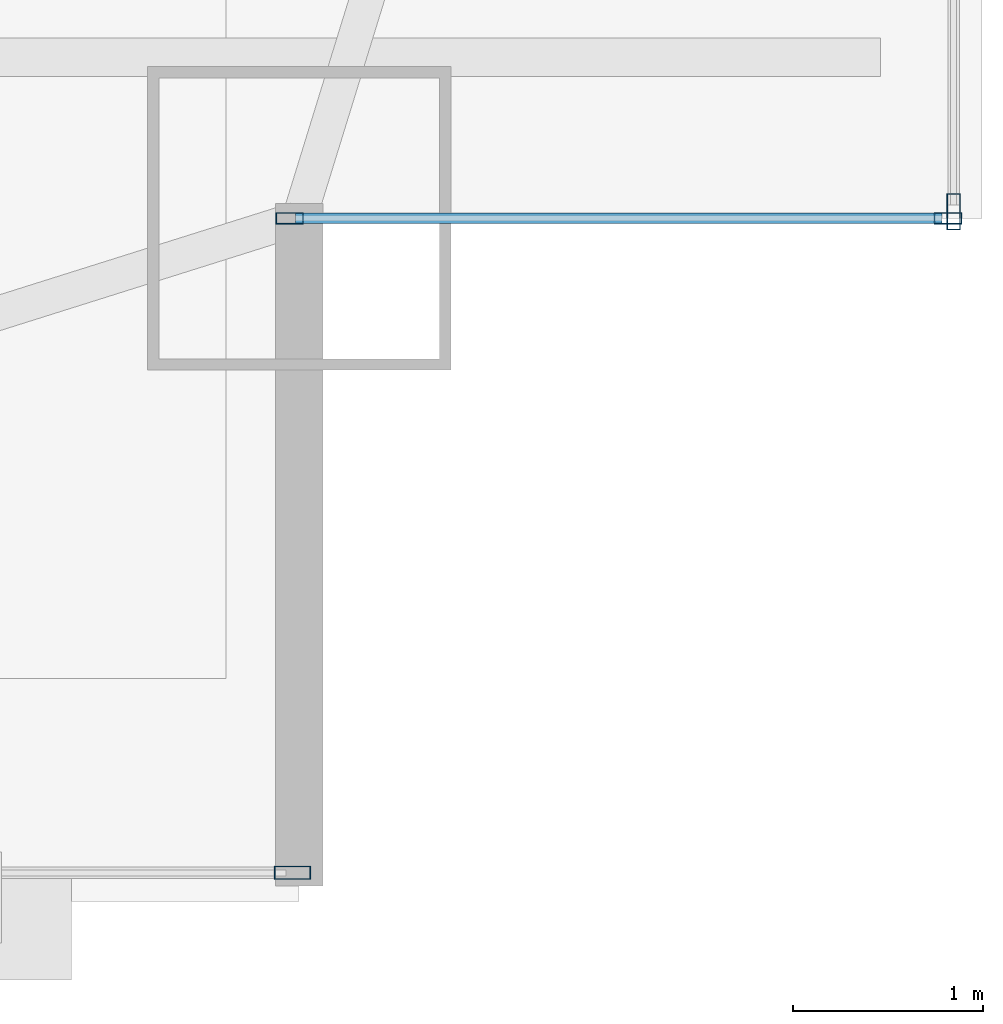
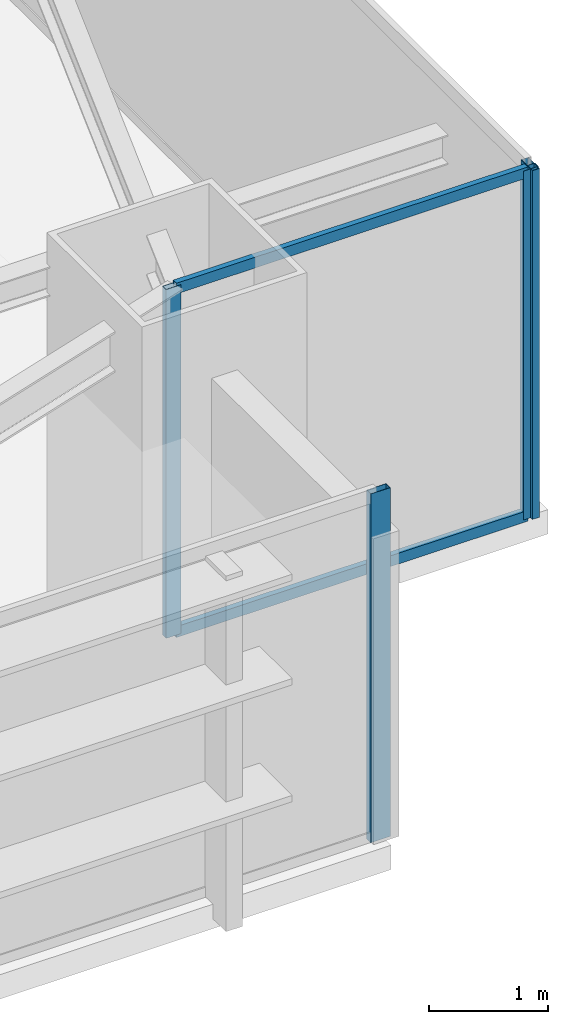
# One storey, part 16 of 32: 6 members, 3 elements without a shape of their own.
"""IFC4 building model written with IfcOpenShell, lengths in metres."""

from ifc_helpers import new_model, si_unit, direction, frame, origin, origin_2d, place, context, subcontext, project, spatial, hollow_rectangle, extrude, source, transform, mapped, material, layer, layer_set, material_profile, profile_set, type_object, type_shapes, element, aggregate, save


model = new_model("IFC4")

# Units and contexts
model_context = context("Model", 3, precision=1e-05, world=origin(), true_north=direction((0.0, 1.0)))
body_context = subcontext(model_context, "Body", "Model", "MODEL_VIEW")
ifc_project = project(units=[si_unit("LENGTHUNIT", "METRE"), si_unit("AREAUNIT", "SQUARE_METRE"), si_unit("VOLUMEUNIT", "CUBIC_METRE"), si_unit("PLANEANGLEUNIT", "RADIAN"), si_unit("MASSUNIT", "GRAM", prefix="KILO")], contexts=[model_context])

# Site, building, storey
site_placement = place(None, origin())
site = spatial("IfcSite", under=ifc_project, at=site_placement, CompositionType="ELEMENT")
building_placement = place(site_placement, origin())
building = spatial("IfcBuilding", under=site, at=building_placement, Name="Varnel Quay Broadcast Tower", CompositionType="ELEMENT")
storey_placement = place(building_placement, frame((0.0, 0.0, 78.300048828125)))
storey = spatial("IfcBuildingStorey", under=building, at=storey_placement, Name="L18", CompositionType="ELEMENT", Elevation=78.300048828125)

# Curtain wall, members
ifc_material = material(Name="Anodised Bronze Aluminium 6063-T6", Category="aluminium")
ifc_layer_1 = layer(ifc_material, 0.18994140625, Name="Anodised Bronze Aluminium 6063-T6")
ifc_layer_set_1 = layer_set([ifc_layer_1], Name="Anodised Bronze Aluminium 6063-T6")
curtain_wall_type_1 = type_object("IfcCurtainWallType", Name="CW_NotchCorner", PredefinedType="NOTDEFINED", material=ifc_layer_set_1)
curtain_wall_1_placement = place(storey_placement, origin())
curtain_wall_1 = element("IfcCurtainWall", 1, at=curtain_wall_1_placement, inside=storey, type_object=curtain_wall_type_1, Name="L18 SE Notch Curtain Wall", PredefinedType="NOTDEFINED")
ifc_material_profile_1 = material_profile(ifc_material, hollow_rectangle(XDim=0.054931640625, YDim=0.110107421875, WallThickness=0.0029296875, at=origin_2d()), Name="ALU55X110X3")
ifc_profile_set_1 = profile_set([ifc_material_profile_1], Name="Anodised Bronze Aluminium 6063-T6")
member_type_1 = type_object("IfcMemberType", Name="Tran_CWS-04", PredefinedType="USERDEFINED", material=ifc_profile_set_1)
shared_shape_1 = source(origin(), body_context, "Body", "SweptSolid", [
    extrude(hollow_rectangle(XDim=0.054931640625, YDim=0.110107421875, WallThickness=0.0029296875, at=origin_2d()), origin(), (0.0, 0.0, 1.0), 3.41015625),
])
type_shapes(member_type_1, [shared_shape_1])
member_1_placement = place(storey_placement, frame((62.3798828125, 4.800048828125, 0.02734375), z_axis=(1.0, 0.0, 0.0), x_axis=(0.0, 1.0, 0.0)))
member_1 = element("IfcMember", 2, at=member_1_placement, type_object=member_type_1, Name="CWS-04 transom 1.1", ObjectType="TRANSOM", PredefinedType="USERDEFINED", context=body_context, shape_type="MappedRepresentation", body=[
    mapped(shared_shape_1, transform((0.0, 0.0, 0.0), x_axis=(1.0, 0.0, 0.0), y_axis=(0.0, 1.0, 0.0), z_axis=(0.0, 0.0, 1.0), scale=1.0)),
])
member_2_placement = place(storey_placement, frame((62.3798828125, 4.800048828125, 3.552490234375), z_axis=(1.0, 0.0, 0.0), x_axis=(0.0, 1.0, 0.0)))
member_2 = element("IfcMember", 3, at=member_2_placement, type_object=member_type_1, Name="CWS-04 transom 1.2", ObjectType="TRANSOM", PredefinedType="USERDEFINED", context=body_context, shape_type="MappedRepresentation", body=[
    mapped(shared_shape_1, transform((0.0, 0.0, 0.0), x_axis=(1.0, 0.0, 0.0), y_axis=(0.0, 1.0, 0.0), z_axis=(0.0, 0.0, 1.0), scale=1.0)),
])

# Curtain wall, member
ifc_layer_2 = layer(ifc_material, 0.18994140625, Name="Anodised Bronze Aluminium 6063-T6")
ifc_layer_set_2 = layer_set([ifc_layer_2], Name="Anodised Bronze Aluminium 6063-T6")
curtain_wall_type_2 = type_object("IfcCurtainWallType", Name="CW_LowerTower", PredefinedType="NOTDEFINED", material=ifc_layer_set_2)
curtain_wall_2_placement = place(storey_placement, origin())
curtain_wall_2 = element("IfcCurtainWall", 4, at=curtain_wall_2_placement, inside=storey, type_object=curtain_wall_type_2, Name="L18 South Unitised Curtain Wall 1", PredefinedType="NOTDEFINED")
ifc_material_profile_2 = material_profile(ifc_material, hollow_rectangle(XDim=0.070068359375, YDim=0.18994140625, WallThickness=0.00390625, at=origin_2d()), Name="ALU70X190X4")
ifc_profile_set_2 = profile_set([ifc_material_profile_2], Name="Anodised Bronze Aluminium 6063-T6")
member_type_2 = type_object("IfcMemberType", Name="Mull_CWS-02", PredefinedType="MULLION", material=ifc_profile_set_2)
shared_shape_2 = source(origin(), body_context, "Body", "SweptSolid", [
    extrude(hollow_rectangle(XDim=0.070068359375, YDim=0.18994140625, WallThickness=0.00390625, at=origin_2d()), origin(), (0.0, 0.0, 1.0), 3.579833984375),
])
type_shapes(member_type_2, [shared_shape_2])
member_3_placement = place(storey_placement, frame((62.364990234375, 1.35009765625, 0.0), z_axis=(0.0, 0.0, 1.0), x_axis=(0.0, 1.0, 0.0)))
member_3 = element("IfcMember", 5, at=member_3_placement, type_object=member_type_2, Name="CWS-02 mullion 6", PredefinedType="MULLION", context=body_context, shape_type="MappedRepresentation", body=[
    mapped(shared_shape_2, transform((0.0, 0.0, 0.0), x_axis=(1.0, 0.0, 0.0), y_axis=(0.0, 1.0, 0.0), z_axis=(0.0, 0.0, 1.0), scale=1.0)),
])
aggregate(curtain_wall_2, [member_3])

curtain_wall_3_placement = place(storey_placement, origin())
curtain_wall_3 = element("IfcCurtainWall", 6, at=curtain_wall_3_placement, inside=storey, type_object=curtain_wall_type_2, Name="L18 East Unitised Curtain Wall", PredefinedType="NOTDEFINED")
member_4_placement = place(storey_placement, frame((65.85009765625, 4.8349609375, 0.0), z_axis=(0.0, 0.0, 1.0), x_axis=(-1.0, 0.0, 0.0)))
member_4 = element("IfcMember", 7, at=member_4_placement, type_object=member_type_2, Name="CWS-02 mullion 1", PredefinedType="MULLION", context=body_context, shape_type="MappedRepresentation", body=[
    mapped(shared_shape_2, transform((0.0, 0.0, 0.0), x_axis=(1.0, 0.0, 0.0), y_axis=(0.0, 1.0, 0.0), z_axis=(0.0, 0.0, 1.0), scale=1.0)),
])
aggregate(curtain_wall_3, [member_4])

# Member
ifc_material_profile_3 = material_profile(ifc_material, hollow_rectangle(XDim=0.06005859375, YDim=0.14501953125, WallThickness=0.00341796875, at=origin_2d()), Name="ALU60X145X3.5")
ifc_profile_set_3 = profile_set([ifc_material_profile_3], Name="Anodised Bronze Aluminium 6063-T6")
member_type_3 = type_object("IfcMemberType", Name="Mull_CWS-04", PredefinedType="MULLION", material=ifc_profile_set_3)
shared_shape_3 = source(origin(), body_context, "Body", "SweptSolid", [
    extrude(hollow_rectangle(XDim=0.06005859375, YDim=0.14501953125, WallThickness=0.00341796875, at=origin_2d()), origin(), (0.0, 0.0, 1.0), 3.579833984375),
])
type_shapes(member_type_3, [shared_shape_3])
member_5_placement = place(storey_placement, frame((62.35009765625, 4.800048828125, 0.0), z_axis=(0.0, 0.0, 1.0), x_axis=(0.0, 1.0, 0.0)))
member_5 = element("IfcMember", 8, at=member_5_placement, type_object=member_type_3, Name="CWS-04 mullion 1", PredefinedType="MULLION", context=body_context, shape_type="MappedRepresentation", body=[
    mapped(shared_shape_3, transform((0.0, 0.0, 0.0), x_axis=(1.0, 0.0, 0.0), y_axis=(0.0, 1.0, 0.0), z_axis=(0.0, 0.0, 1.0), scale=1.0)),
])

member_6_placement = place(storey_placement, frame((65.820068359375, 4.800048828125, 0.0), z_axis=(0.0, 0.0, 1.0), x_axis=(0.0, 1.0, 0.0)))
member_6 = element("IfcMember", 9, at=member_6_placement, type_object=member_type_3, Name="CWS-04 mullion 2", PredefinedType="MULLION", context=body_context, shape_type="MappedRepresentation", body=[
    mapped(shared_shape_3, transform((0.0, 0.0, 0.0), x_axis=(1.0, 0.0, 0.0), y_axis=(0.0, 1.0, 0.0), z_axis=(0.0, 0.0, 1.0), scale=1.0)),
])

aggregate(curtain_wall_1, [member_5, member_6, member_1, member_2])

save(model, "model.ifc")
